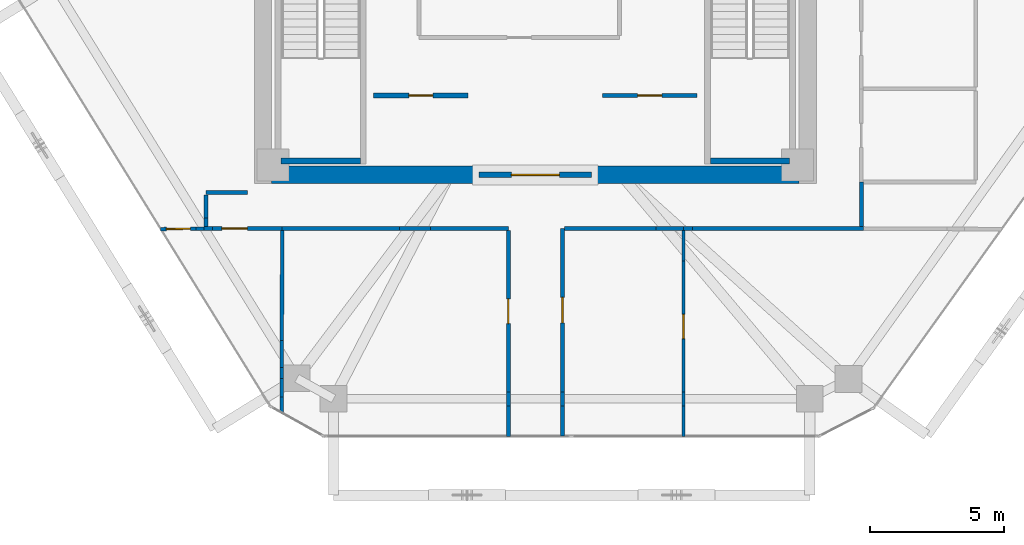
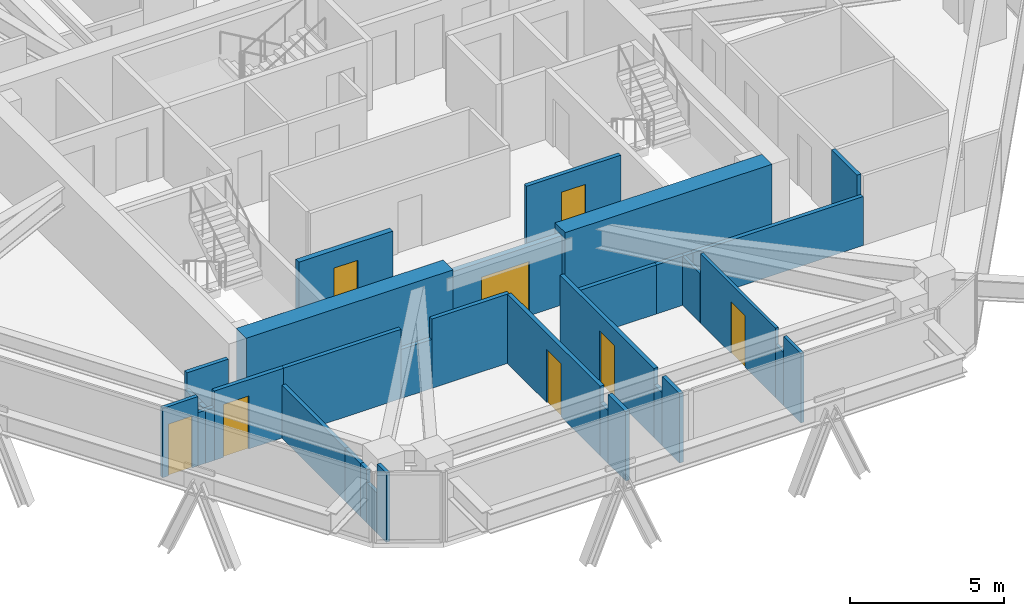
# One storey, part 10 of 14: 37 walls, 8 doors, 8 openings.
"""IFC4 building model written with IfcOpenShell, lengths in metres."""

from ifc_helpers import new_model, si_unit, direction, frame, frame_2d, origin, place, context, subcontext, project, spatial, rectangle, extrude, source, transform, mapped, material, layer, layer_set, type_object, type_shapes, element, fill, save


model = new_model("IFC4")

# Units and contexts
model_context = context("Model", 3, precision=1e-05, world=origin(), true_north=direction((0.0, 1.0)))
body_context = subcontext(model_context, "Body", "Model", "MODEL_VIEW")
ifc_project = project(units=[si_unit("LENGTHUNIT", "METRE"), si_unit("AREAUNIT", "SQUARE_METRE"), si_unit("VOLUMEUNIT", "CUBIC_METRE"), si_unit("PLANEANGLEUNIT", "RADIAN"), si_unit("MASSUNIT", "GRAM", prefix="KILO")], contexts=[model_context])

# Site, building, storey
site_placement = place(None, origin())
site = spatial("IfcSite", under=ifc_project, at=site_placement, CompositionType="ELEMENT")
building_placement = place(site_placement, origin())
building = spatial("IfcBuilding", under=site, at=building_placement, Name="Durnholm Broadcast Tower", CompositionType="ELEMENT")
storey_placement = place(building_placement, frame((0.0, 0.0, 200.199951171875)))
storey = spatial("IfcBuildingStorey", under=building, at=storey_placement, Name="L55", CompositionType="ELEMENT", Elevation=200.199951171875)

# Walls
ifc_material_1 = material(Name="Concrete C70/85", Category="concrete")
ifc_layer_1 = layer(ifc_material_1, 0.64990234375)
ifc_layer_set_1 = layer_set([ifc_layer_1], Name="Concrete C70/85")
wall_type_1 = type_object("IfcWallType", Name="WALL-CW-650", PredefinedType="SHEAR", material=ifc_layer_set_1)
for number, where, z_axis, x_axis, name in (
    (1, (-9.85009765625, -8.175048828125, 0.0), (0.0, 0.0, 1.0), (1.0, 0.0, 0.0), "L55 central core shear wall CW-S1"),
    (2, (2.10009765625, -8.175048828125, 0.0), (0.0, 0.0, 1.0), (1.0, 0.0, 0.0), "L55 central core shear wall CW-S2"),
):
    element("IfcWall", number, at=place(storey_placement, frame(where, z_axis=z_axis, x_axis=x_axis)), inside=storey, type_object=wall_type_1, Name=name, PredefinedType="SHEAR", context=body_context, shape_type="SweptSolid", body=[
        extrude(rectangle(XDim=7.75, YDim=0.64990234375, at=frame_2d((3.875, 0.0))), origin(), (0.0, 0.0, 1.0), 3.0),
    ])

# Wall, opening, door
ifc_material_2 = material(Name="Fire-Rated Gypsum Shaftwall", Category="concrete")
ifc_layer_2 = layer(ifc_material_2, 0.199951171875)
ifc_layer_set_2 = layer_set([ifc_layer_2], Name="Fire-Rated Gypsum Shaftwall")
wall_type_2 = type_object("IfcWallType", Name="WALL-LOB-200", PredefinedType="SOLIDWALL", material=ifc_layer_set_2)
wall_1_placement = place(storey_placement, frame((-2.10009765625, -8.175048828125, 0.0), z_axis=(0.0, 0.0, 1.0), x_axis=(1.0, 0.0, 0.0)))
wall_1 = element("IfcWall", 3, at=wall_1_placement, inside=storey, type_object=wall_type_2, Name="L55 south core lobby fire screen", PredefinedType="SOLIDWALL", context=body_context, shape_type="SweptSolid", body=[
    extrude(rectangle(XDim=4.2001953125, YDim=0.199951171875, at=frame_2d((2.10009765625, 0.0))), origin(), (0.0, 0.0, 1.0), 2.7451171875),
])
opening_1_placement = place(wall_1_placement, frame((1.199951171875, 0.0, 0.0)))
opening_1 = element("IfcOpeningElement", 4, at=opening_1_placement, cuts=wall_1, Name="Opening DP-60", PredefinedType="OPENING", context=body_context, shape_type="SweptSolid", body=[
    extrude(rectangle(XDim=1.800048828125, YDim=2.14990234375, at=frame_2d((0.89990234375, 1.074951171875))), frame((0.0, 0.10986328125, 0.0), z_axis=(0.0, -1.0, 0.0), x_axis=(1.0, 0.0, 0.0)), (0.0, 0.0, 1.0), 0.219970703125),
])
ifc_material_3 = material(Name="Fire-Rated Double Corridor Door", Category="steel")
ifc_layer_3 = layer(ifc_material_3, 0.050048828125)
ifc_layer_set_3 = layer_set([ifc_layer_3], Name="Fire-Rated Double Corridor Door")
door_type_1 = type_object("IfcDoorType", Name="DOOR-PAIR-FD60", OperationType="DOUBLE_DOOR_SINGLE_SWING", PredefinedType="DOOR", material=ifc_layer_set_3)
shared_shape_1 = source(origin(), body_context, "Body", "SweptSolid", [
    extrude(rectangle(XDim=1.800048828125, YDim=2.14990234375, at=frame_2d((0.89990234375, 1.074951171875))), frame((0.0, 0.02490234375, 0.0), z_axis=(0.0, -1.0, 0.0), x_axis=(1.0, 0.0, 0.0)), (0.0, 0.0, 1.0), 0.050048828125),
])
type_shapes(door_type_1, [shared_shape_1])
door_1_placement = place(opening_1_placement, origin())
door_1 = element("IfcDoor", 5, at=door_1_placement, inside=storey, type_object=door_type_1, Name="L55 south core lobby double fire door", OperationType="DOUBLE_DOOR_SINGLE_SWING", OverallHeight=2.14990234375, OverallWidth=1.800048828125, PredefinedType="DOOR", context=body_context, shape_type="MappedRepresentation", body=[
    mapped(shared_shape_1, transform((0.0, 0.0, 0.0), x_axis=(1.0, 0.0, 0.0), y_axis=(0.0, 1.0, 0.0), z_axis=(0.0, 0.0, 1.0), scale=1.0)),
])
fill(opening_1, door_1)

wall_2_placement = place(storey_placement, frame((-6.0400390625, -5.2099609375, 0.0), z_axis=(0.0, 0.0, 1.0), x_axis=(1.0, 0.0, 0.0)))
wall_2 = element("IfcWall", 6, at=wall_2_placement, inside=storey, type_object=wall_type_2, Name="L55 Broadcast Signal Rack Room corridor partition", PredefinedType="SOLIDWALL", context=body_context, shape_type="SweptSolid", body=[
    extrude(rectangle(XDim=3.530029296875, YDim=0.199951171875, at=frame_2d((1.76513671875, 0.0))), origin(), (0.0, 0.0, 1.0), 2.7451171875),
])
opening_2_placement = place(wall_2_placement, frame((1.31494140625, 0.0, 0.0)))
opening_2 = element("IfcOpeningElement", 7, at=opening_2_placement, cuts=wall_2, Name="Opening DC-60L", PredefinedType="OPENING", context=body_context, shape_type="SweptSolid", body=[
    extrude(rectangle(XDim=0.89990234375, YDim=2.050048828125, at=frame_2d((0.449951171875, 1.02490234375))), frame((0.0, 0.10986328125, 0.0), z_axis=(0.0, -1.0, 0.0), x_axis=(1.0, 0.0, 0.0)), (0.0, 0.0, 1.0), 0.219970703125),
])
ifc_material_4 = material(Name="Fire-Rated Core Service Door", Category="steel")
ifc_layer_4 = layer(ifc_material_4, 0.050048828125)
ifc_layer_set_4 = layer_set([ifc_layer_4], Name="Fire-Rated Core Service Door")
door_type_2 = type_object("IfcDoorType", Name="DOOR-CORE-FD60-L", OperationType="NOTDEFINED", PredefinedType="DOOR", material=ifc_layer_set_4)
shared_shape_2 = source(origin(), body_context, "Body", "SweptSolid", [
    extrude(rectangle(XDim=0.89990234375, YDim=2.050048828125, at=frame_2d((0.449951171875, 1.02490234375))), frame((0.0, 0.02490234375, 0.0), z_axis=(0.0, -1.0, 0.0), x_axis=(1.0, 0.0, 0.0)), (0.0, 0.0, 1.0), 0.050048828125),
])
type_shapes(door_type_2, [shared_shape_2])
door_2_placement = place(opening_2_placement, origin())
door_2 = element("IfcDoor", 8, at=door_2_placement, inside=storey, type_object=door_type_2, Name="L55 Broadcast Signal Rack Room entrance door", OperationType="SINGLE_SWING_LEFT", OverallHeight=2.050048828125, OverallWidth=0.89990234375, PredefinedType="DOOR", context=body_context, shape_type="MappedRepresentation", body=[
    mapped(shared_shape_2, transform((0.0, 0.0, 0.0), x_axis=(1.0, 0.0, 0.0), y_axis=(0.0, 1.0, 0.0), z_axis=(0.0, 0.0, 1.0), scale=1.0)),
])
fill(opening_2, door_2)

ifc_material_5 = material(Name="Operable Acoustic Panel Partition", Category="aluminium")
ifc_layer_5 = layer(ifc_material_5, 0.110107421875)
ifc_layer_set_5 = layer_set([ifc_layer_5], Name="Operable Acoustic Panel Partition")
wall_type_3 = type_object("IfcWallType", Name="WALL-MOV-110", PredefinedType="MOVABLE", material=ifc_layer_set_5)
wall_3_placement = place(storey_placement, frame((5.5400390625, -11.39990234375, 0.0), z_axis=(0.0, 0.0, 1.0), x_axis=(0.0, -1.0, 0.0)))
wall_3 = element("IfcWall", 9, at=wall_3_placement, inside=storey, type_object=wall_type_3, Name="L55 room dividing partition 14.15", PredefinedType="MOVABLE", context=body_context, shape_type="SweptSolid", body=[
    extrude(rectangle(XDim=4.879638671875, YDim=0.110107421875, at=frame_2d((2.43994140625, 0.0))), origin(), (0.0, 0.0, 1.0), 2.7451171875),
])
opening_3_placement = place(wall_3_placement, frame((1.98974609375, 0.0, 0.0)))
opening_3 = element("IfcOpeningElement", 10, at=opening_3_placement, cuts=wall_3, Name="Opening DW-90L", PredefinedType="OPENING", context=body_context, shape_type="SweptSolid", body=[
    extrude(rectangle(XDim=0.89990234375, YDim=2.050048828125, at=frame_2d((0.449951171875, 1.02490234375))), frame((0.0, 0.06494140625, 0.0), z_axis=(0.0, -1.0, 0.0), x_axis=(1.0, 0.0, 0.0)), (0.0, 0.0, 1.0), 0.130126953125),
])
ifc_material_6 = material(Name="Laminate Restroom Door", Category="steel")
ifc_layer_6 = layer(ifc_material_6, 0.050048828125)
ifc_layer_set_6 = layer_set([ifc_layer_6], Name="Laminate Restroom Door")
door_type_3 = type_object("IfcDoorType", Name="DOOR-WC-900L", OperationType="NOTDEFINED", PredefinedType="DOOR", material=ifc_layer_set_6)
shared_shape_3 = source(origin(), body_context, "Body", "SweptSolid", [
    extrude(rectangle(XDim=0.89990234375, YDim=2.050048828125, at=frame_2d((0.449951171875, 1.02490234375))), frame((0.0, 0.02490234375, 0.0), z_axis=(0.0, -1.0, 0.0), x_axis=(1.0, 0.0, 0.0)), (0.0, 0.0, 1.0), 0.050048828125),
])
type_shapes(door_type_3, [shared_shape_3])
door_3_placement = place(opening_3_placement, origin())
door_3 = element("IfcDoor", 11, at=door_3_placement, inside=storey, type_object=door_type_3, Name="L55 Open Plan Broadcast Workspace 2 connecting door", OperationType="SINGLE_SWING_LEFT", OverallHeight=2.050048828125, OverallWidth=0.89990234375, PredefinedType="DOOR", context=body_context, shape_type="MappedRepresentation", body=[
    mapped(shared_shape_3, transform((0.0, 0.0, 0.0), x_axis=(1.0, 0.0, 0.0), y_axis=(0.0, 1.0, 0.0), z_axis=(0.0, 0.0, 1.0), scale=1.0)),
])
fill(opening_3, door_3)

# Walls
wall_4_placement = place(storey_placement, frame((5.5400390625, -16.804443359375, 0.0), z_axis=(0.0, 0.0, 1.0), x_axis=(0.0, -1.0, 0.0)))
element("IfcWall", 12, at=wall_4_placement, inside=storey, type_object=wall_type_3, Name="L55 room dividing partition 14.15", PredefinedType="MOVABLE", context=body_context, shape_type="SweptSolid", body=[
    extrude(rectangle(XDim=1.137451171875, YDim=0.110107421875, at=frame_2d((0.56884765625, 0.0))), origin(), (0.0, 0.0, 1.0), 2.7451171875),
])
wall_5_placement = place(storey_placement, frame((5.5400390625, -10.259033203125, 0.0), z_axis=(0.0, 0.0, 1.0), x_axis=(0.0, -1.0, 0.0)))
element("IfcWall", 13, at=wall_5_placement, inside=storey, type_object=wall_type_3, Name="L55 room dividing partition 14.15", PredefinedType="MOVABLE", context=body_context, shape_type="SweptSolid", body=[
    extrude(rectangle(XDim=1.140869140625, YDim=0.110107421875, at=frame_2d((0.5703125, 0.0))), origin(), (0.0, 0.0, 1.0), 1.94189453125),
])
wall_6_placement = place(storey_placement, frame((5.5400390625, -16.279541015625, 0.0), z_axis=(0.0, 0.0, 1.0), x_axis=(0.0, -1.0, 0.0)))
element("IfcWall", 14, at=wall_6_placement, inside=storey, type_object=wall_type_3, Name="L55 room dividing partition 14.15", PredefinedType="MOVABLE", context=body_context, shape_type="SweptSolid", body=[
    extrude(rectangle(XDim=0.52490234375, YDim=0.110107421875, at=frame_2d((0.262451171875, 0.0))), origin(), (0.0, 0.0, 1.0), 2.098876953125),
])
ifc_material_7 = material(Name="Gypsum Metal Stud Partition", Category="concrete")
ifc_layer_7 = layer(ifc_material_7, 0.135009765625)
ifc_layer_set_7 = layer_set([ifc_layer_7], Name="Gypsum Metal Stud Partition")
wall_type_4 = type_object("IfcWallType", Name="WALL-PART-135", PredefinedType="PARTITIONING", material=ifc_layer_set_7)
wall_7_placement = place(storey_placement, frame((-9.460205078125, -10.259033203125, 0.0), z_axis=(0.0, 0.0, 1.0), x_axis=(-0.002849160395, -0.999995941134, 0.0)))
element("IfcWall", 15, at=wall_7_placement, inside=storey, type_object=wall_type_4, Name="L55 room dividing partition 12.13", PredefinedType="PARTITIONING", context=body_context, shape_type="SweptSolid", body=[
    extrude(rectangle(XDim=4.113037109375, YDim=0.135009765625, at=frame_2d((2.056640625, 0.0))), origin(), (0.0, 0.0, 1.0), 2.098876953125),
])
wall_8_placement = place(storey_placement, frame((-9.474609375, -15.3662109375, 0.0), z_axis=(0.0, 0.0, 1.0), x_axis=(-0.002946363169, -0.999995659463, 0.0)))
element("IfcWall", 16, at=wall_8_placement, inside=storey, type_object=wall_type_4, Name="L55 room dividing partition 12.13", PredefinedType="PARTITIONING", context=body_context, shape_type="SweptSolid", body=[
    extrude(rectangle(XDim=0.414306640625, YDim=0.135009765625, at=frame_2d((0.20703125, 0.0))), origin(), (0.0, 0.0, 1.0), 2.098876953125),
])
wall_9_placement = place(storey_placement, frame((-9.477783203125, -16.46923828125, 0.0), z_axis=(0.0, 0.0, 1.0), x_axis=(-0.002877094545, -0.999995861155, 0.0)))
element("IfcWall", 17, at=wall_9_placement, inside=storey, type_object=wall_type_4, Name="L55 room dividing partition 12.13", PredefinedType="PARTITIONING", context=body_context, shape_type="SweptSolid", body=[
    extrude(rectangle(XDim=0.593994140625, YDim=0.135009765625, at=frame_2d((0.296875, 0.0))), origin(), (0.0, 0.0, 1.0), 2.7451171875),
])
wall_10_placement = place(storey_placement, frame((-9.471923828125, -14.3720703125, 0.0), z_axis=(0.0, 0.0, 1.0), x_axis=(-0.002701365389, -0.999996351306, 0.0)))
element("IfcWall", 18, at=wall_10_placement, inside=storey, type_object=wall_type_4, Name="L55 room dividing partition 12.13", PredefinedType="PARTITIONING", context=body_context, shape_type="SweptSolid", body=[
    extrude(rectangle(XDim=0.994140625, YDim=0.135009765625, at=frame_2d((0.4970703125, 0.0))), origin(), (0.0, 0.0, 1.0), 2.098876953125),
])
wall_11_placement = place(storey_placement, frame((-9.475830078125, -15.780517578125, 0.0), z_axis=(0.0, 0.0, 1.0), x_axis=(-0.0028358624, -0.999995978934, 0.0)))
element("IfcWall", 19, at=wall_11_placement, inside=storey, type_object=wall_type_4, Name="L55 room dividing partition 12.13", PredefinedType="PARTITIONING", context=body_context, shape_type="SweptSolid", body=[
    extrude(rectangle(XDim=0.688720703125, YDim=0.135009765625, at=frame_2d((0.34423828125, 0.0))), origin(), (0.0, 0.0, 1.0), 1.5771484375),
])

# Wall, opening, door
wall_12_placement = place(storey_placement, frame((-14.00390625, -10.200927734375, 0.0), z_axis=(0.0, 0.0, 1.0), x_axis=(0.999924024946, 0.012326570317, 0.0)))
wall_12 = element("IfcWall", 20, at=wall_12_placement, inside=storey, type_object=wall_type_4, Name="L55 room dividing partition 12.16", PredefinedType="PARTITIONING", context=body_context, shape_type="SweptSolid", body=[
    extrude(rectangle(XDim=1.326904296875, YDim=0.135009765625, at=frame_2d((0.66357421875, 0.0))), origin(), (0.0, 0.0, 1.0), 2.7451171875),
])
opening_4_placement = place(wall_12_placement, frame((0.213623046875, 0.0, 0.0)))
opening_4 = element("IfcOpeningElement", 21, at=opening_4_placement, cuts=wall_12, Name="Opening DW-90L", PredefinedType="OPENING", context=body_context, shape_type="SweptSolid", body=[
    extrude(rectangle(XDim=0.89990234375, YDim=2.050048828125, at=frame_2d((0.449951171875, 1.02490234375))), frame((0.0, 0.07763671875, 0.0), z_axis=(0.0, -1.0, 0.0), x_axis=(1.0, 0.0, 0.0)), (0.0, 0.0, 1.0), 0.155029296875),
])
door_4_placement = place(opening_4_placement, origin())
door_4 = element("IfcDoor", 22, at=door_4_placement, inside=storey, type_object=door_type_3, Name="L55 Investor Briefing Auditorium connecting door", OperationType="SINGLE_SWING_LEFT", OverallHeight=2.050048828125, OverallWidth=0.89990234375, PredefinedType="DOOR", context=body_context, shape_type="MappedRepresentation", body=[
    mapped(shared_shape_3, transform((0.0, 0.0, 0.0), x_axis=(1.0, 0.0, 0.0), y_axis=(0.0, 1.0, 0.0), z_axis=(0.0, 0.0, 1.0), scale=1.0)),
])
fill(opening_4, door_4)

# Wall
wall_13_placement = place(storey_placement, frame((-12.677001953125, -10.1845703125, 0.0), z_axis=(0.0, 0.0, 1.0), x_axis=(0.99991866361, 0.012754064587, 0.0)))
element("IfcWall", 23, at=wall_13_placement, inside=storey, type_object=wall_type_4, Name="L55 room dividing partition 12.16", PredefinedType="PARTITIONING", context=body_context, shape_type="SweptSolid", body=[
    extrude(rectangle(XDim=0.287109375, YDim=0.135009765625, at=frame_2d((0.1435546875, 0.0))), origin(), (0.0, 0.0, 1.0), 2.098876953125),
])

# Wall, opening, door
ifc_material_8 = material(Name="Acoustic Gypsum Stud Partition", Category="concrete")
ifc_layer_8 = layer(ifc_material_8, 0.14990234375)
ifc_layer_set_8 = layer_set([ifc_layer_8], Name="Acoustic Gypsum Stud Partition")
wall_type_5 = type_object("IfcWallType", Name="WALL-PART-150", PredefinedType="PARTITIONING", material=ifc_layer_set_8)
wall_14_placement = place(storey_placement, frame((2.510009765625, -5.2099609375, 0.0), z_axis=(0.0, 0.0, 1.0), x_axis=(1.0, 0.0, 0.0)))
wall_14 = element("IfcWall", 24, at=wall_14_placement, inside=storey, type_object=wall_type_5, Name="L55 Editorial Beverage Pantry corridor partition", PredefinedType="PARTITIONING", context=body_context, shape_type="SweptSolid", body=[
    extrude(rectangle(XDim=3.530029296875, YDim=0.14990234375, at=frame_2d((1.76513671875, 0.0))), origin(), (0.0, 0.0, 1.0), 2.7451171875),
])
opening_5_placement = place(wall_14_placement, frame((1.31494140625, 0.0, 0.0)))
opening_5 = element("IfcOpeningElement", 25, at=opening_5_placement, cuts=wall_14, Name="Opening DC-60R", PredefinedType="OPENING", context=body_context, shape_type="SweptSolid", body=[
    extrude(rectangle(XDim=0.89990234375, YDim=2.050048828125, at=frame_2d((0.449951171875, 1.02490234375))), frame((0.0, 0.0849609375, 0.0), z_axis=(0.0, -1.0, 0.0), x_axis=(1.0, 0.0, 0.0)), (0.0, 0.0, 1.0), 0.169921875),
])
ifc_layer_9 = layer(ifc_material_4, 0.050048828125)
ifc_layer_set_9 = layer_set([ifc_layer_9], Name="Fire-Rated Core Service Door")
door_type_4 = type_object("IfcDoorType", Name="DOOR-CORE-FD60-R", OperationType="NOTDEFINED", PredefinedType="DOOR", material=ifc_layer_set_9)
shared_shape_4 = source(origin(), body_context, "Body", "SweptSolid", [
    extrude(rectangle(XDim=0.89990234375, YDim=2.050048828125, at=frame_2d((0.449951171875, 1.02490234375))), frame((0.0, 0.02490234375, 0.0), z_axis=(0.0, -1.0, 0.0), x_axis=(1.0, 0.0, 0.0)), (0.0, 0.0, 1.0), 0.050048828125),
])
type_shapes(door_type_4, [shared_shape_4])
door_5_placement = place(opening_5_placement, origin())
door_5 = element("IfcDoor", 26, at=door_5_placement, inside=storey, type_object=door_type_4, Name="L55 Editorial Beverage Pantry entrance door", OperationType="SINGLE_SWING_RIGHT", OverallHeight=2.050048828125, OverallWidth=0.89990234375, PredefinedType="DOOR", context=body_context, shape_type="MappedRepresentation", body=[
    mapped(shared_shape_4, transform((0.0, 0.0, 0.0), x_axis=(1.0, 0.0, 0.0), y_axis=(0.0, 1.0, 0.0), z_axis=(0.0, 0.0, 1.0), scale=1.0)),
])
fill(opening_5, door_5)

wall_15_placement = place(storey_placement, frame((-12.0625, -10.179931640625, 0.0), z_axis=(0.0, 0.0, 1.0), x_axis=(1.0, 0.0, 0.0)))
wall_15 = element("IfcWall", 27, at=wall_15_placement, inside=storey, type_object=wall_type_5, Name="L55 Catering Kitchen corridor partition", PredefinedType="PARTITIONING", context=body_context, shape_type="SweptSolid", body=[
    extrude(rectangle(XDim=2.6025390625, YDim=0.14990234375, at=frame_2d((1.30126953125, 0.0))), origin(), (0.0, 0.0, 1.0), 2.7451171875),
])
opening_6_placement = place(wall_15_placement, frame((0.35009765625, 0.0, 0.0)))
opening_6 = element("IfcOpeningElement", 28, at=opening_6_placement, cuts=wall_15, Name="Opening DR-95R", PredefinedType="OPENING", context=body_context, shape_type="SweptSolid", body=[
    extrude(rectangle(XDim=0.949951171875, YDim=2.10009765625, at=frame_2d((0.47509765625, 1.050048828125))), frame((0.0, 0.0849609375, 0.0), z_axis=(0.0, -1.0, 0.0), x_axis=(1.0, 0.0, 0.0)), (0.0, 0.0, 1.0), 0.169921875),
])
ifc_material_9 = material(Name="Acoustic Oak Veneer Timber Door", Category="wood")
ifc_layer_10 = layer(ifc_material_9, 0.050048828125)
ifc_layer_set_10 = layer_set([ifc_layer_10], Name="Acoustic Oak Veneer Timber Door")
door_type_5 = type_object("IfcDoorType", Name="DOOR-RM-950R", OperationType="NOTDEFINED", PredefinedType="DOOR", material=ifc_layer_set_10)
shared_shape_5 = source(origin(), body_context, "Body", "SweptSolid", [
    extrude(rectangle(XDim=0.949951171875, YDim=2.10009765625, at=frame_2d((0.47509765625, 1.050048828125))), frame((0.0, 0.02490234375, 0.0), z_axis=(0.0, -1.0, 0.0), x_axis=(1.0, 0.0, 0.0)), (0.0, 0.0, 1.0), 0.050048828125),
])
type_shapes(door_type_5, [shared_shape_5])
door_6_placement = place(opening_6_placement, origin())
door_6 = element("IfcDoor", 29, at=door_6_placement, inside=storey, type_object=door_type_5, Name="L55 Catering Kitchen entrance door", OperationType="SINGLE_SWING_RIGHT", OverallHeight=2.10009765625, OverallWidth=0.949951171875, PredefinedType="DOOR", context=body_context, shape_type="MappedRepresentation", body=[
    mapped(shared_shape_5, transform((0.0, 0.0, 0.0), x_axis=(1.0, 0.0, 0.0), y_axis=(0.0, 1.0, 0.0), z_axis=(0.0, 0.0, 1.0), scale=1.0)),
])
fill(opening_6, door_6)

# Walls
wall_16_placement = place(storey_placement, frame((-12.389892578125, -10.179931640625, 0.0), z_axis=(0.0, 0.0, 1.0), x_axis=(1.0, 0.0, 0.0)))
element("IfcWall", 30, at=wall_16_placement, inside=storey, type_object=wall_type_5, Name="L55 Catering Kitchen corridor partition", PredefinedType="PARTITIONING", context=body_context, shape_type="SweptSolid", body=[
    extrude(rectangle(XDim=0.327392578125, YDim=0.14990234375, at=frame_2d((0.16357421875, 0.0))), origin(), (0.0, 0.0, 1.0), 2.098876953125),
])
wall_17_placement = place(storey_placement, frame((-9.4599609375, -10.179931640625, 0.0), z_axis=(0.0, 0.0, 1.0), x_axis=(1.0, 0.0, 0.0)))
element("IfcWall", 31, at=wall_17_placement, inside=storey, type_object=wall_type_5, Name="L55 Open Plan Broadcast Workspace 6 corridor partition", PredefinedType="PARTITIONING", context=body_context, shape_type="SweptSolid", body=[
    extrude(rectangle(XDim=4.389892578125, YDim=0.14990234375, at=frame_2d((2.19482421875, 0.0))), origin(), (0.0, 0.0, 1.0), 2.7451171875),
])
wall_18_placement = place(storey_placement, frame((-3.912841796875, -10.179931640625, 0.0), z_axis=(0.0, 0.0, 1.0), x_axis=(1.0, 0.0, 0.0)))
element("IfcWall", 32, at=wall_18_placement, inside=storey, type_object=wall_type_5, Name="L55 Open Plan Broadcast Workspace 6 corridor partition", PredefinedType="PARTITIONING", context=body_context, shape_type="SweptSolid", body=[
    extrude(rectangle(XDim=2.90283203125, YDim=0.14990234375, at=frame_2d((1.451416015625, 0.0))), origin(), (0.0, 0.0, 1.0), 2.7451171875),
])
wall_19_placement = place(storey_placement, frame((-5.070068359375, -10.179931640625, 0.0), z_axis=(0.0, 0.0, 1.0), x_axis=(1.0, 0.0, 0.0)))
element("IfcWall", 33, at=wall_19_placement, inside=storey, type_object=wall_type_5, Name="L55 Open Plan Broadcast Workspace 6 corridor partition", PredefinedType="PARTITIONING", context=body_context, shape_type="SweptSolid", body=[
    extrude(rectangle(XDim=1.1572265625, YDim=0.14990234375, at=frame_2d((0.57861328125, 0.0))), origin(), (0.0, 0.0, 1.0), 1.94189453125),
])

# Wall, opening, door
wall_20_placement = place(storey_placement, frame((-1.010009765625, -10.259033203125, 0.0), z_axis=(0.0, 0.0, 1.0), x_axis=(0.0, -1.0, 0.0)))
wall_20 = element("IfcWall", 34, at=wall_20_placement, inside=storey, type_object=wall_type_5, Name="L55 Open Plan Broadcast Workspace 6 corridor partition", PredefinedType="PARTITIONING", context=body_context, shape_type="SweptSolid", body=[
    extrude(rectangle(XDim=6.0205078125, YDim=0.14990234375, at=frame_2d((3.01025390625, 0.0))), origin(), (0.0, 0.0, 1.0), 2.7451171875),
])
opening_7_placement = place(wall_20_placement, frame((2.55029296875, 0.0, 0.0)))
opening_7 = element("IfcOpeningElement", 35, at=opening_7_placement, cuts=wall_20, Name="Opening DR-92L", PredefinedType="OPENING", context=body_context, shape_type="SweptSolid", body=[
    extrude(rectangle(XDim=0.919921875, YDim=2.10009765625, at=frame_2d((0.4599609375, 1.050048828125))), frame((0.0, 0.0849609375, 0.0), z_axis=(0.0, -1.0, 0.0), x_axis=(1.0, 0.0, 0.0)), (0.0, 0.0, 1.0), 0.169921875),
])
ifc_material_10 = material(Name="Oak Veneer Office Door", Category="wood")
ifc_layer_11 = layer(ifc_material_10, 0.050048828125)
ifc_layer_set_11 = layer_set([ifc_layer_11], Name="Oak Veneer Office Door")
door_type_6 = type_object("IfcDoorType", Name="DOOR-RM-920L", OperationType="NOTDEFINED", PredefinedType="DOOR", material=ifc_layer_set_11)
shared_shape_6 = source(origin(), body_context, "Body", "SweptSolid", [
    extrude(rectangle(XDim=0.919921875, YDim=2.10009765625, at=frame_2d((0.4599609375, 1.050048828125))), frame((0.0, 0.02490234375, 0.0), z_axis=(0.0, -1.0, 0.0), x_axis=(1.0, 0.0, 0.0)), (0.0, 0.0, 1.0), 0.050048828125),
])
type_shapes(door_type_6, [shared_shape_6])
door_7_placement = place(opening_7_placement, origin())
door_7 = element("IfcDoor", 36, at=door_7_placement, inside=storey, type_object=door_type_6, Name="L55 Open Plan Broadcast Workspace 6 entrance door", OperationType="SINGLE_SWING_LEFT", OverallHeight=2.10009765625, OverallWidth=0.919921875, PredefinedType="DOOR", context=body_context, shape_type="MappedRepresentation", body=[
    mapped(shared_shape_6, transform((0.0, 0.0, 0.0), x_axis=(1.0, 0.0, 0.0), y_axis=(0.0, 1.0, 0.0), z_axis=(0.0, 0.0, 1.0), scale=1.0)),
])
fill(opening_7, door_7)

# Walls
wall_21_placement = place(storey_placement, frame((-1.010009765625, -16.804443359375, 0.0), z_axis=(0.0, 0.0, 1.0), x_axis=(0.0, -1.0, 0.0)))
element("IfcWall", 37, at=wall_21_placement, inside=storey, type_object=wall_type_5, Name="L55 Open Plan Broadcast Workspace 6 corridor partition", PredefinedType="PARTITIONING", context=body_context, shape_type="SweptSolid", body=[
    extrude(rectangle(XDim=1.137451171875, YDim=0.14990234375, at=frame_2d((0.56884765625, 0.0))), origin(), (0.0, 0.0, 1.0), 2.7451171875),
])
wall_22_placement = place(storey_placement, frame((-1.010009765625, -16.279541015625, 0.0), z_axis=(0.0, 0.0, 1.0), x_axis=(0.0, -1.0, 0.0)))
element("IfcWall", 38, at=wall_22_placement, inside=storey, type_object=wall_type_5, Name="L55 Open Plan Broadcast Workspace 6 corridor partition", PredefinedType="PARTITIONING", context=body_context, shape_type="SweptSolid", body=[
    extrude(rectangle(XDim=0.52490234375, YDim=0.14990234375, at=frame_2d((0.262451171875, 0.0))), origin(), (0.0, 0.0, 1.0), 2.098876953125),
])
wall_23_placement = place(storey_placement, frame((1.010009765625, -17.94189453125, 0.0), z_axis=(0.0, 0.0, 1.0), x_axis=(0.0, 1.0, 0.0)))
element("IfcWall", 39, at=wall_23_placement, inside=storey, type_object=wall_type_5, Name="L55 Board Meeting Room corridor partition", PredefinedType="PARTITIONING", context=body_context, shape_type="SweptSolid", body=[
    extrude(rectangle(XDim=1.137451171875, YDim=0.14990234375, at=frame_2d((0.56884765625, 0.0))), origin(), (0.0, 0.0, 1.0), 2.7451171875),
])

# Wall, opening, door
wall_24_placement = place(storey_placement, frame((1.010009765625, -16.279541015625, 0.0), z_axis=(0.0, 0.0, 1.0), x_axis=(0.0, 1.0, 0.0)))
wall_24 = element("IfcWall", 40, at=wall_24_placement, inside=storey, type_object=wall_type_5, Name="L55 Board Meeting Room corridor partition", PredefinedType="PARTITIONING", context=body_context, shape_type="SweptSolid", body=[
    extrude(rectangle(XDim=6.099609375, YDim=0.14990234375, at=frame_2d((3.0498046875, 0.0))), origin(), (0.0, 0.0, 1.0), 2.7451171875),
])
opening_8_placement = place(wall_24_placement, frame((2.57470703125, 0.0, 0.0)))
opening_8 = element("IfcOpeningElement", 41, at=opening_8_placement, cuts=wall_24, Name="Opening DR-95R", PredefinedType="OPENING", context=body_context, shape_type="SweptSolid", body=[
    extrude(rectangle(XDim=0.949951171875, YDim=2.10009765625, at=frame_2d((0.47509765625, 1.050048828125))), frame((0.0, 0.0849609375, 0.0), z_axis=(0.0, -1.0, 0.0), x_axis=(1.0, 0.0, 0.0)), (0.0, 0.0, 1.0), 0.169921875),
])
door_8_placement = place(opening_8_placement, origin())
door_8 = element("IfcDoor", 42, at=door_8_placement, inside=storey, type_object=door_type_5, Name="L55 Board Meeting Room entrance door", OperationType="SINGLE_SWING_RIGHT", OverallHeight=2.10009765625, OverallWidth=0.949951171875, PredefinedType="DOOR", context=body_context, shape_type="MappedRepresentation", body=[
    mapped(shared_shape_5, transform((0.0, 0.0, 0.0), x_axis=(1.0, 0.0, 0.0), y_axis=(0.0, 1.0, 0.0), z_axis=(0.0, 0.0, 1.0), scale=1.0)),
])
fill(opening_8, door_8)

# Walls
wall_25_placement = place(storey_placement, frame((1.010009765625, -16.804443359375, 0.0), z_axis=(0.0, 0.0, 1.0), x_axis=(0.0, 1.0, 0.0)))
element("IfcWall", 43, at=wall_25_placement, inside=storey, type_object=wall_type_5, Name="L55 Board Meeting Room corridor partition", PredefinedType="PARTITIONING", context=body_context, shape_type="SweptSolid", body=[
    extrude(rectangle(XDim=0.52490234375, YDim=0.14990234375, at=frame_2d((0.262451171875, 0.0))), origin(), (0.0, 0.0, 1.0), 2.098876953125),
])
wall_26_placement = place(storey_placement, frame((1.089111328125, -10.179931640625, 0.0), z_axis=(0.0, 0.0, 1.0), x_axis=(1.0, 0.0, 0.0)))
element("IfcWall", 44, at=wall_26_placement, inside=storey, type_object=wall_type_5, Name="L55 Board Meeting Room corridor partition", PredefinedType="PARTITIONING", context=body_context, shape_type="SweptSolid", body=[
    extrude(rectangle(XDim=3.422119140625, YDim=0.14990234375, at=frame_2d((1.7109375, 0.0))), origin(), (0.0, 0.0, 1.0), 1.94189453125),
])
wall_27_placement = place(storey_placement, frame((4.51123046875, -10.179931640625, 0.0), z_axis=(0.0, 0.0, 1.0), x_axis=(1.0, 0.0, 0.0)))
element("IfcWall", 45, at=wall_27_placement, inside=storey, type_object=wall_type_5, Name="L55 Board Meeting Room corridor partition", PredefinedType="PARTITIONING", context=body_context, shape_type="SweptSolid", body=[
    extrude(rectangle(XDim=1.02880859375, YDim=0.14990234375, at=frame_2d((0.514404296875, 0.0))), origin(), (0.0, 0.0, 1.0), 1.94189453125),
])
wall_28_placement = place(storey_placement, frame((5.86962890625, -10.179931640625, 0.0), z_axis=(0.0, 0.0, 1.0), x_axis=(1.0, 0.0, 0.0)))
element("IfcWall", 46, at=wall_28_placement, inside=storey, type_object=wall_type_5, Name="L55 Open Plan Broadcast Workspace 2 corridor partition", PredefinedType="PARTITIONING", context=body_context, shape_type="SweptSolid", body=[
    extrude(rectangle(XDim=6.390380859375, YDim=0.14990234375, at=frame_2d((3.1953125, 0.0))), origin(), (0.0, 0.0, 1.0), 1.94189453125),
])
wall_29_placement = place(storey_placement, frame((5.5400390625, -10.179931640625, 0.0), z_axis=(0.0, 0.0, 1.0), x_axis=(1.0, 0.0, 0.0)))
element("IfcWall", 47, at=wall_29_placement, inside=storey, type_object=wall_type_5, Name="L55 Open Plan Broadcast Workspace 2 corridor partition", PredefinedType="PARTITIONING", context=body_context, shape_type="SweptSolid", body=[
    extrude(rectangle(XDim=0.32958984375, YDim=0.14990234375, at=frame_2d((0.164794921875, 0.0))), origin(), (0.0, 0.0, 1.0), 1.94189453125),
])
wall_30_placement = place(storey_placement, frame((-10.760009765625, -8.840087890625, 0.0), z_axis=(0.0, 0.0, 1.0), x_axis=(-1.0, 0.0, 0.0)))
element("IfcWall", 48, at=wall_30_placement, inside=storey, type_object=wall_type_5, Name="L55 Investor Briefing Auditorium corridor partition", PredefinedType="PARTITIONING", context=body_context, shape_type="SweptSolid", body=[
    extrude(rectangle(XDim=1.550048828125, YDim=0.14990234375, at=frame_2d((0.77490234375, 0.0))), origin(), (0.0, 0.0, 1.0), 2.7451171875),
])
wall_31_placement = place(storey_placement, frame((-12.31005859375, -8.9189453125, 0.0), z_axis=(0.0, 0.0, 1.0), x_axis=(0.0, -1.0, 0.0)))
element("IfcWall", 49, at=wall_31_placement, inside=storey, type_object=wall_type_5, Name="L55 Investor Briefing Auditorium corridor partition", PredefinedType="PARTITIONING", context=body_context, shape_type="SweptSolid", body=[
    extrude(rectangle(XDim=0.8603515625, YDim=0.14990234375, at=frame_2d((0.43017578125, 0.0))), origin(), (0.0, 0.0, 1.0), 2.098876953125),
])
wall_32_placement = place(storey_placement, frame((-12.31005859375, -9.779296875, 0.0), z_axis=(0.0, 0.0, 1.0), x_axis=(0.0, -1.0, 0.0)))
element("IfcWall", 50, at=wall_32_placement, inside=storey, type_object=wall_type_5, Name="L55 Investor Briefing Auditorium corridor partition", PredefinedType="PARTITIONING", context=body_context, shape_type="SweptSolid", body=[
    extrude(rectangle(XDim=0.32177734375, YDim=0.14990234375, at=frame_2d((0.160888671875, 0.0))), origin(), (0.0, 0.0, 1.0), 2.098876953125),
])
wall_33_placement = place(storey_placement, frame((12.179931640625, -10.10107421875, 0.0), z_axis=(0.0, 0.0, 1.0), x_axis=(0.0, 1.0, 0.0)))
element("IfcWall", 51, at=wall_33_placement, inside=storey, type_object=wall_type_5, Name="L55 Catering Kitchen corridor partition", PredefinedType="PARTITIONING", context=body_context, shape_type="SweptSolid", body=[
    extrude(rectangle(XDim=1.6611328125, YDim=0.14990234375, at=frame_2d((0.83056640625, 0.0))), origin(), (0.0, 0.0, 1.0), 2.7451171875),
])
ifc_material_11 = material(Name="Concrete C50/60", Category="concrete")
ifc_layer_12 = layer(ifc_material_11, 0.219970703125)
ifc_layer_set_12 = layer_set([ifc_layer_12], Name="Concrete C50/60")
wall_type_6 = type_object("IfcWallType", Name="WALL-SW-220", PredefinedType="SHEAR", material=ifc_layer_set_12)
for number, where, z_axis, x_axis, name in (
    (52, (-9.5, -7.659912109375, -0.239990234375), (0.0, 0.0, 1.0), (1.0, 0.0, 0.0), "L55 stair ST-1 structural shaft wall S"),
    (53, (6.5400390625, -7.659912109375, -0.239990234375), (0.0, 0.0, 1.0), (1.0, 0.0, 0.0), "L55 stair ST-2 structural shaft wall S"),
):
    element("IfcWall", number, at=place(storey_placement, frame(where, z_axis=z_axis, x_axis=x_axis)), inside=storey, type_object=wall_type_6, Name=name, PredefinedType="SHEAR", context=body_context, shape_type="SweptSolid", body=[
        extrude(rectangle(XDim=2.9599609375, YDim=0.219970703125, at=frame_2d((1.47998046875, 0.0))), origin(), (0.0, 0.0, 1.0), 3.0),
    ])

save(model, "model.ifc")
